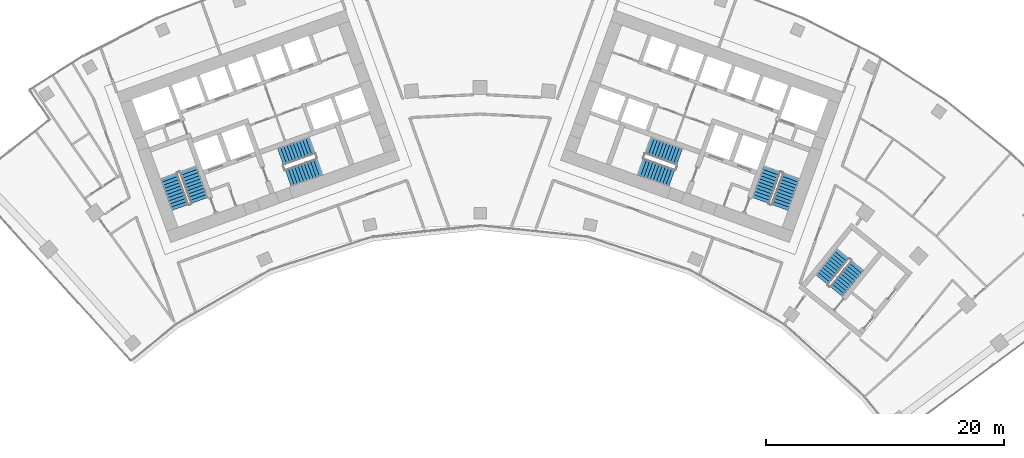
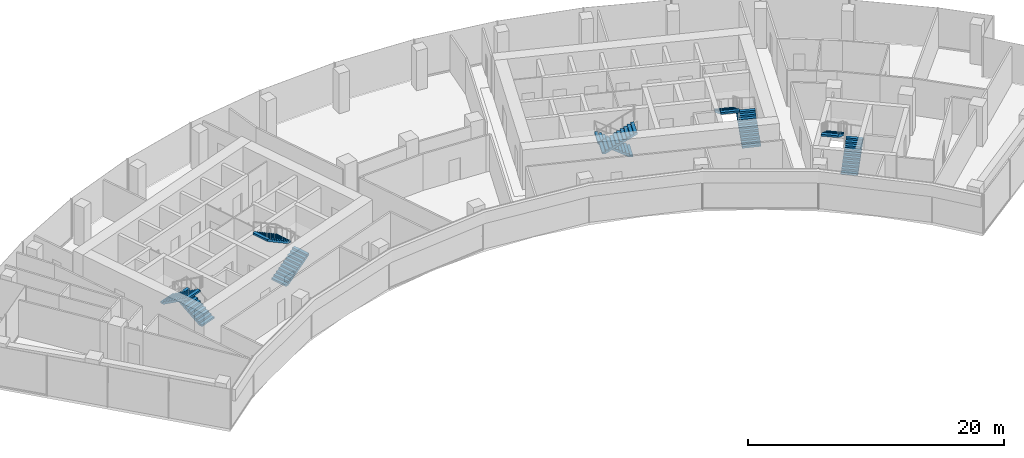
# One storey, part 16 of 17: 10 stair flights, 5 elements without a shape of their own.
"""IFC4 building model written with IfcOpenShell, lengths in metres."""

from ifc_helpers import new_model, si_unit, direction, frame, origin, place, context, subcontext, project, spatial, polyline, outline, extrude, material, type_object, element, aggregate, save


model = new_model("IFC4")

# Units and contexts
model_context = context("Model", 3, precision=1e-05, world=origin(), true_north=direction((0.0, 1.0)))
body_context = subcontext(model_context, "Body", "Model", "MODEL_VIEW")
ifc_project = project(units=[si_unit("LENGTHUNIT", "METRE"), si_unit("AREAUNIT", "SQUARE_METRE"), si_unit("VOLUMEUNIT", "CUBIC_METRE"), si_unit("PLANEANGLEUNIT", "RADIAN"), si_unit("MASSUNIT", "GRAM", prefix="KILO")], contexts=[model_context])

# Site, building, storey
site_placement = place(None, origin())
site = spatial("IfcSite", under=ifc_project, at=site_placement, CompositionType="ELEMENT")
building_placement = place(site_placement, origin())
building = spatial("IfcBuilding", under=site, at=building_placement, Name="Stone Belt Terrace Tower", CompositionType="ELEMENT")
storey_placement = place(building_placement, frame((0.0, 0.0, 231.39990234375)))
storey = spatial("IfcBuildingStorey", under=building, at=storey_placement, Name="L56", CompositionType="ELEMENT", Elevation=231.39990234375)

# Stair, stair flights
ifc_material = material(Name="Concrete B40", Category="concrete")
stair_type = type_object("IfcStairType", Name="Exit stair 1500", PredefinedType="HALF_TURN_STAIR", material=ifc_material)
stair_1_placement = place(storey_placement, origin())
stair_1 = element("IfcStair", 1, at=stair_1_placement, inside=storey, type_object=stair_type, Name="L56 Exit stair 1 core A", PredefinedType="HALF_TURN_STAIR")
stair_flight_type = type_object("IfcStairFlightType", Name="Stair flight 1500", PredefinedType="STRAIGHT", material=ifc_material)
stair_flight_1_placement = place(storey_placement, frame((-23.55322265625, 45.51318359375, 0.0), z_axis=(0.0, 0.0, 1.0), x_axis=(-0.338624396177, 0.940921632398, 0.0)))
stair_flight_1 = element("IfcStairFlight", 2, at=stair_flight_1_placement, type_object=stair_flight_type, Name="ST1A flight 1", NumberOfRisers=11, NumberOfTreads=10, PredefinedType="STRAIGHT", RiserHeight=0.172727273, TreadLength=0.28, context=body_context, shape_type="SweptSolid", body=[
    extrude(outline(polyline([(0.0, 0.0), (0.0, 0.172607421875), (0.280029296875, 0.172607421875), (0.280029296875, 0.345458984375), (0.56005859375, 0.345458984375), (0.56005859375, 0.51806640625), (0.840087890625, 0.51806640625), (0.840087890625, 0.69091796875), (1.1201171875, 0.69091796875), (1.1201171875, 0.863525390625), (1.39990234375, 0.863525390625), (1.39990234375, 1.036376953125), (1.679931640625, 1.036376953125), (1.679931640625, 1.208984375), (1.9599609375, 1.208984375), (1.9599609375, 1.3818359375), (2.239990234375, 1.3818359375), (2.239990234375, 1.554443359375), (2.52001953125, 1.554443359375), (2.52001953125, 1.727294921875), (2.800048828125, 1.727294921875), (2.800048828125, 1.89990234375), (2.800048828125, 1.551025390625), (0.285400390625, 0.0), (0.0, 0.0)])), frame((0.0, 0.75, 0.0), z_axis=(0.0, -1.0, 0.0), x_axis=(1.0, 0.0, 0.0)), (0.0, 0.0, 1.0), 1.5),
])
stair_flight_2_placement = place(storey_placement, frame((-26.10107421875, 47.572021484375, 1.900146484375), z_axis=(0.0, 0.0, 1.0), x_axis=(0.338624396177, -0.940921632398, 0.0)))
stair_flight_2 = element("IfcStairFlight", 3, at=stair_flight_2_placement, type_object=stair_flight_type, Name="ST1A flight 2", NumberOfRisers=11, NumberOfTreads=10, PredefinedType="STRAIGHT", RiserHeight=0.172727273, TreadLength=0.28, context=body_context, shape_type="SweptSolid", body=[
    extrude(outline(polyline([(0.0, 0.0), (0.0, 0.172607421875), (0.280029296875, 0.172607421875), (0.280029296875, 0.345458984375), (0.56005859375, 0.345458984375), (0.56005859375, 0.51806640625), (0.840087890625, 0.51806640625), (0.840087890625, 0.69091796875), (1.1201171875, 0.69091796875), (1.1201171875, 0.863525390625), (1.39990234375, 0.863525390625), (1.39990234375, 1.036376953125), (1.679931640625, 1.036376953125), (1.679931640625, 1.208984375), (1.9599609375, 1.208984375), (1.9599609375, 1.3818359375), (2.239990234375, 1.3818359375), (2.239990234375, 1.554443359375), (2.52001953125, 1.554443359375), (2.52001953125, 1.727294921875), (2.800048828125, 1.727294921875), (2.800048828125, 1.89990234375), (2.800048828125, 1.551025390625), (0.285400390625, 0.0), (0.0, 0.0)])), frame((0.0, 0.75, 0.0), z_axis=(0.0, -1.0, 0.0), x_axis=(1.0, 0.0, 0.0)), (0.0, 0.0, 1.0), 1.5),
])
aggregate(stair_1, [stair_flight_1, stair_flight_2])

stair_2_placement = place(storey_placement, origin())
stair_2 = element("IfcStair", 4, at=stair_2_placement, inside=storey, type_object=stair_type, Name="L56 Exit stair 2 core A", PredefinedType="HALF_TURN_STAIR")
stair_flight_3_placement = place(storey_placement, frame((-16.101318359375, 47.39794921875, 0.0), z_axis=(0.0, 0.0, 1.0), x_axis=(0.940921632398, 0.338624396177, 0.0)))
stair_flight_3 = element("IfcStairFlight", 5, at=stair_flight_3_placement, type_object=stair_flight_type, Name="ST2A flight 1", NumberOfRisers=11, NumberOfTreads=10, PredefinedType="STRAIGHT", RiserHeight=0.172727273, TreadLength=0.28, context=body_context, shape_type="SweptSolid", body=[
    extrude(outline(polyline([(0.0, 0.0), (0.0, 0.172607421875), (0.280029296875, 0.172607421875), (0.280029296875, 0.345458984375), (0.56005859375, 0.345458984375), (0.56005859375, 0.51806640625), (0.840087890625, 0.51806640625), (0.840087890625, 0.69091796875), (1.1201171875, 0.69091796875), (1.1201171875, 0.863525390625), (1.39990234375, 0.863525390625), (1.39990234375, 1.036376953125), (1.679931640625, 1.036376953125), (1.679931640625, 1.208984375), (1.9599609375, 1.208984375), (1.9599609375, 1.3818359375), (2.239990234375, 1.3818359375), (2.239990234375, 1.554443359375), (2.52001953125, 1.554443359375), (2.52001953125, 1.727294921875), (2.800048828125, 1.727294921875), (2.800048828125, 1.89990234375), (2.800048828125, 1.551025390625), (0.285400390625, 0.0), (0.0, 0.0)])), frame((0.0, 0.75, 0.0), z_axis=(0.0, -1.0, 0.0), x_axis=(1.0, 0.0, 0.0)), (0.0, 0.0, 1.0), 1.5),
])
stair_flight_4_placement = place(storey_placement, frame((-14.110107421875, 50.1337890625, 1.900146484375), z_axis=(0.0, 0.0, 1.0), x_axis=(-0.940921632398, -0.338624396177, 0.0)))
stair_flight_4 = element("IfcStairFlight", 6, at=stair_flight_4_placement, type_object=stair_flight_type, Name="ST2A flight 2", NumberOfRisers=11, NumberOfTreads=10, PredefinedType="STRAIGHT", RiserHeight=0.172727273, TreadLength=0.28, context=body_context, shape_type="SweptSolid", body=[
    extrude(outline(polyline([(0.0, 0.0), (0.0, 0.172607421875), (0.280029296875, 0.172607421875), (0.280029296875, 0.345458984375), (0.56005859375, 0.345458984375), (0.56005859375, 0.51806640625), (0.840087890625, 0.51806640625), (0.840087890625, 0.69091796875), (1.1201171875, 0.69091796875), (1.1201171875, 0.863525390625), (1.39990234375, 0.863525390625), (1.39990234375, 1.036376953125), (1.679931640625, 1.036376953125), (1.679931640625, 1.208984375), (1.9599609375, 1.208984375), (1.9599609375, 1.3818359375), (2.239990234375, 1.3818359375), (2.239990234375, 1.554443359375), (2.52001953125, 1.554443359375), (2.52001953125, 1.727294921875), (2.800048828125, 1.727294921875), (2.800048828125, 1.89990234375), (2.800048828125, 1.551025390625), (0.285400390625, 0.0), (0.0, 0.0)])), frame((0.0, 0.75, 0.0), z_axis=(0.0, -1.0, 0.0), x_axis=(1.0, 0.0, 0.0)), (0.0, 0.0, 1.0), 1.5),
])
aggregate(stair_2, [stair_flight_3, stair_flight_4])

stair_3_placement = place(storey_placement, origin())
stair_3 = element("IfcStair", 7, at=stair_3_placement, inside=storey, type_object=stair_type, Name="L56 Exit stair 1 core B", PredefinedType="HALF_TURN_STAIR")
stair_flight_5_placement = place(storey_placement, frame((25.15283203125, 44.9375, 0.0), z_axis=(0.0, 0.0, 1.0), x_axis=(0.338624396177, 0.940921632398, 0.0)))
stair_flight_5 = element("IfcStairFlight", 8, at=stair_flight_5_placement, type_object=stair_flight_type, Name="ST1B flight 1", NumberOfRisers=11, NumberOfTreads=10, PredefinedType="STRAIGHT", RiserHeight=0.172727273, TreadLength=0.28, context=body_context, shape_type="SweptSolid", body=[
    extrude(outline(polyline([(0.0, 0.0), (0.0, 0.172607421875), (0.280029296875, 0.172607421875), (0.280029296875, 0.345458984375), (0.56005859375, 0.345458984375), (0.56005859375, 0.51806640625), (0.840087890625, 0.51806640625), (0.840087890625, 0.69091796875), (1.1201171875, 0.69091796875), (1.1201171875, 0.863525390625), (1.39990234375, 0.863525390625), (1.39990234375, 1.036376953125), (1.679931640625, 1.036376953125), (1.679931640625, 1.208984375), (1.9599609375, 1.208984375), (1.9599609375, 1.3818359375), (2.239990234375, 1.3818359375), (2.239990234375, 1.554443359375), (2.52001953125, 1.554443359375), (2.52001953125, 1.727294921875), (2.800048828125, 1.727294921875), (2.800048828125, 1.89990234375), (2.800048828125, 1.551025390625), (0.285400390625, 0.0), (0.0, 0.0)])), frame((0.0, 0.75, 0.0), z_axis=(0.0, -1.0, 0.0), x_axis=(1.0, 0.0, 0.0)), (0.0, 0.0, 1.0), 1.5),
])
stair_flight_6_placement = place(storey_placement, frame((24.50146484375, 48.147705078125, 1.900146484375), z_axis=(0.0, 0.0, 1.0), x_axis=(-0.338624396177, -0.940921632398, 0.0)))
stair_flight_6 = element("IfcStairFlight", 9, at=stair_flight_6_placement, type_object=stair_flight_type, Name="ST1B flight 2", NumberOfRisers=11, NumberOfTreads=10, PredefinedType="STRAIGHT", RiserHeight=0.172727273, TreadLength=0.28, context=body_context, shape_type="SweptSolid", body=[
    extrude(outline(polyline([(0.0, 0.0), (0.0, 0.172607421875), (0.280029296875, 0.172607421875), (0.280029296875, 0.345458984375), (0.56005859375, 0.345458984375), (0.56005859375, 0.51806640625), (0.840087890625, 0.51806640625), (0.840087890625, 0.69091796875), (1.1201171875, 0.69091796875), (1.1201171875, 0.863525390625), (1.39990234375, 0.863525390625), (1.39990234375, 1.036376953125), (1.679931640625, 1.036376953125), (1.679931640625, 1.208984375), (1.9599609375, 1.208984375), (1.9599609375, 1.3818359375), (2.239990234375, 1.3818359375), (2.239990234375, 1.554443359375), (2.52001953125, 1.554443359375), (2.52001953125, 1.727294921875), (2.800048828125, 1.727294921875), (2.800048828125, 1.89990234375), (2.800048828125, 1.551025390625), (0.285400390625, 0.0), (0.0, 0.0)])), frame((0.0, 0.75, 0.0), z_axis=(0.0, -1.0, 0.0), x_axis=(1.0, 0.0, 0.0)), (0.0, 0.0, 1.0), 1.5),
])
aggregate(stair_3, [stair_flight_5, stair_flight_6])

stair_4_placement = place(storey_placement, origin())
stair_4 = element("IfcStair", 10, at=stair_4_placement, inside=storey, type_object=stair_type, Name="L56 Exit stair 2 core B", PredefinedType="HALF_TURN_STAIR")
stair_flight_7_placement = place(storey_placement, frame((16.74462890625, 49.185546875, 0.0), z_axis=(0.0, 0.0, 1.0), x_axis=(-0.940921632398, 0.338624396177, 0.0)))
stair_flight_7 = element("IfcStairFlight", 11, at=stair_flight_7_placement, type_object=stair_flight_type, Name="ST2B flight 1", NumberOfRisers=11, NumberOfTreads=10, PredefinedType="STRAIGHT", RiserHeight=0.172727273, TreadLength=0.28, context=body_context, shape_type="SweptSolid", body=[
    extrude(outline(polyline([(0.0, 0.0), (0.0, 0.172607421875), (0.280029296875, 0.172607421875), (0.280029296875, 0.345458984375), (0.56005859375, 0.345458984375), (0.56005859375, 0.51806640625), (0.840087890625, 0.51806640625), (0.840087890625, 0.69091796875), (1.1201171875, 0.69091796875), (1.1201171875, 0.863525390625), (1.39990234375, 0.863525390625), (1.39990234375, 1.036376953125), (1.679931640625, 1.036376953125), (1.679931640625, 1.208984375), (1.9599609375, 1.208984375), (1.9599609375, 1.3818359375), (2.239990234375, 1.3818359375), (2.239990234375, 1.554443359375), (2.52001953125, 1.554443359375), (2.52001953125, 1.727294921875), (2.800048828125, 1.727294921875), (2.800048828125, 1.89990234375), (2.800048828125, 1.551025390625), (0.285400390625, 0.0), (0.0, 0.0)])), frame((0.0, 0.75, 0.0), z_axis=(0.0, -1.0, 0.0), x_axis=(1.0, 0.0, 0.0)), (0.0, 0.0, 1.0), 1.5),
])
stair_flight_8_placement = place(storey_placement, frame((13.466796875, 48.345947265625, 1.900146484375), z_axis=(0.0, 0.0, 1.0), x_axis=(0.940921632398, -0.338624396177, 0.0)))
stair_flight_8 = element("IfcStairFlight", 12, at=stair_flight_8_placement, type_object=stair_flight_type, Name="ST2B flight 2", NumberOfRisers=11, NumberOfTreads=10, PredefinedType="STRAIGHT", RiserHeight=0.172727273, TreadLength=0.28, context=body_context, shape_type="SweptSolid", body=[
    extrude(outline(polyline([(0.0, 0.0), (0.0, 0.172607421875), (0.280029296875, 0.172607421875), (0.280029296875, 0.345458984375), (0.56005859375, 0.345458984375), (0.56005859375, 0.51806640625), (0.840087890625, 0.51806640625), (0.840087890625, 0.69091796875), (1.1201171875, 0.69091796875), (1.1201171875, 0.863525390625), (1.39990234375, 0.863525390625), (1.39990234375, 1.036376953125), (1.679931640625, 1.036376953125), (1.679931640625, 1.208984375), (1.9599609375, 1.208984375), (1.9599609375, 1.3818359375), (2.239990234375, 1.3818359375), (2.239990234375, 1.554443359375), (2.52001953125, 1.554443359375), (2.52001953125, 1.727294921875), (2.800048828125, 1.727294921875), (2.800048828125, 1.89990234375), (2.800048828125, 1.551025390625), (0.285400390625, 0.0), (0.0, 0.0)])), frame((0.0, 0.75, 0.0), z_axis=(0.0, -1.0, 0.0), x_axis=(1.0, 0.0, 0.0)), (0.0, 0.0, 1.0), 1.5),
])
aggregate(stair_4, [stair_flight_7, stair_flight_8])

stair_5_placement = place(storey_placement, origin())
stair_5 = element("IfcStair", 13, at=stair_5_placement, inside=storey, type_object=stair_type, Name="L56 Exit stair 3B", PredefinedType="HALF_TURN_STAIR")
stair_flight_9_placement = place(storey_placement, frame((29.88330078125, 37.887939453125, 0.0), z_axis=(0.0, 0.0, 1.0), x_axis=(0.630205749599, 0.776428176441, 0.0)))
stair_flight_9 = element("IfcStairFlight", 14, at=stair_flight_9_placement, type_object=stair_flight_type, Name="ST3B flight 1", NumberOfRisers=11, NumberOfTreads=10, PredefinedType="STRAIGHT", RiserHeight=0.172727273, TreadLength=0.28, context=body_context, shape_type="SweptSolid", body=[
    extrude(outline(polyline([(0.0, 0.0), (0.0, 0.172607421875), (0.280029296875, 0.172607421875), (0.280029296875, 0.345458984375), (0.56005859375, 0.345458984375), (0.56005859375, 0.51806640625), (0.840087890625, 0.51806640625), (0.840087890625, 0.69091796875), (1.1201171875, 0.69091796875), (1.1201171875, 0.863525390625), (1.39990234375, 0.863525390625), (1.39990234375, 1.036376953125), (1.679931640625, 1.036376953125), (1.679931640625, 1.208984375), (1.9599609375, 1.208984375), (1.9599609375, 1.3818359375), (2.239990234375, 1.3818359375), (2.239990234375, 1.554443359375), (2.52001953125, 1.554443359375), (2.52001953125, 1.727294921875), (2.800048828125, 1.727294921875), (2.800048828125, 1.89990234375), (2.800048828125, 1.551025390625), (0.285400390625, 0.0), (0.0, 0.0)])), frame((0.0, 0.675048828125, 0.0), z_axis=(0.0, -1.0, 0.0), x_axis=(1.0, 0.0, 0.0)), (0.0, 0.0, 1.0), 1.35009765625),
])
stair_flight_10_placement = place(storey_placement, frame((30.4443359375, 41.038818359375, 1.900146484375), z_axis=(0.0, 0.0, 1.0), x_axis=(-0.630205749599, -0.776428176441, 0.0)))
stair_flight_10 = element("IfcStairFlight", 15, at=stair_flight_10_placement, type_object=stair_flight_type, Name="ST3B flight 2", NumberOfRisers=11, NumberOfTreads=10, PredefinedType="STRAIGHT", RiserHeight=0.172727273, TreadLength=0.28, context=body_context, shape_type="SweptSolid", body=[
    extrude(outline(polyline([(0.0, 0.0), (0.0, 0.172607421875), (0.280029296875, 0.172607421875), (0.280029296875, 0.345458984375), (0.56005859375, 0.345458984375), (0.56005859375, 0.51806640625), (0.840087890625, 0.51806640625), (0.840087890625, 0.69091796875), (1.1201171875, 0.69091796875), (1.1201171875, 0.863525390625), (1.39990234375, 0.863525390625), (1.39990234375, 1.036376953125), (1.679931640625, 1.036376953125), (1.679931640625, 1.208984375), (1.9599609375, 1.208984375), (1.9599609375, 1.3818359375), (2.239990234375, 1.3818359375), (2.239990234375, 1.554443359375), (2.52001953125, 1.554443359375), (2.52001953125, 1.727294921875), (2.800048828125, 1.727294921875), (2.800048828125, 1.89990234375), (2.800048828125, 1.551025390625), (0.285400390625, 0.0), (0.0, 0.0)])), frame((0.0, 0.675048828125, 0.0), z_axis=(0.0, -1.0, 0.0), x_axis=(1.0, 0.0, 0.0)), (0.0, 0.0, 1.0), 1.35009765625),
])
aggregate(stair_5, [stair_flight_9, stair_flight_10])

save(model, "model.ifc")
